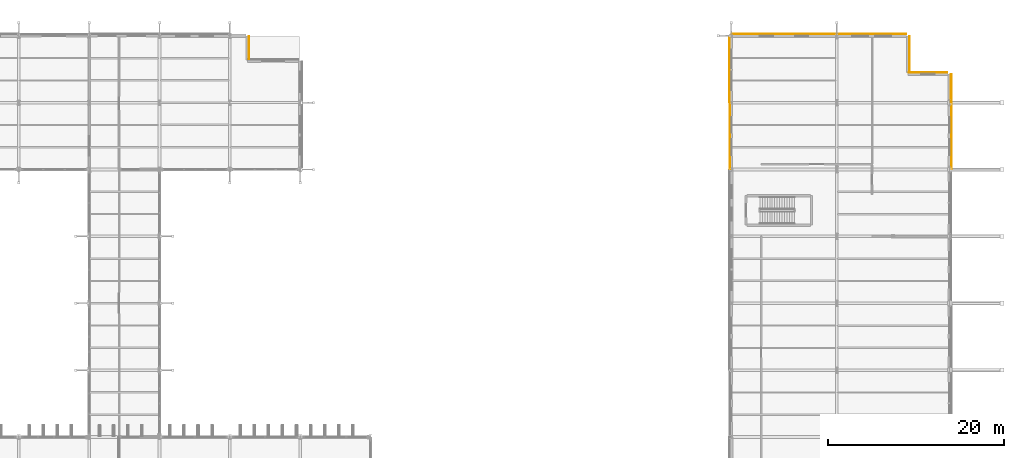
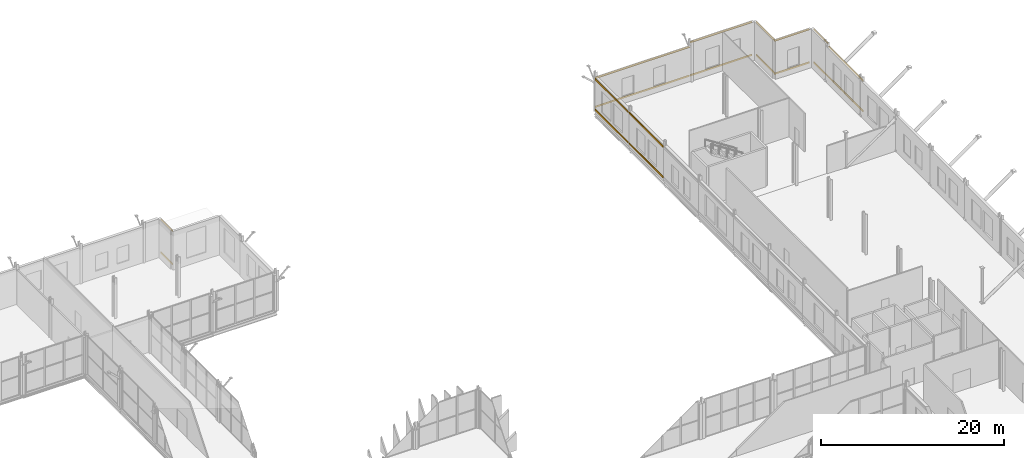
# One storey, part 147 of 147: 18 coverings.
"""IFC4 building model written with IfcOpenShell, lengths in metres."""

import ifcopenshell
import ifcopenshell.guid

model = None  # the IFC model being written
_history = None  # IfcOwnerHistory: only IFC2X3 demands one
_inside = {}  # id of a spatial element -> (the spatial element, [elements in it])
_under = {}  # id of a project, library or spatial element -> (it, [spatial elements below it])
_declared = {}  # id of a project -> (the project, [libraries it declares])
_typed = {}  # id of a type object -> (the type object, [elements of that type])
_made_of = {}  # id of a material, layer set ... -> (it, [elements and type objects made of it])


def new_model(schema):
    """Start an empty IFC model of exactly this schema.

    Asked for "IFC4X3", IfcOpenShell would pick the latest addendum, in which some entities
    have other attributes; the version numbers below select the first issue.
    IFC2X3 requires an IfcOwnerHistory on every rooted entity: one is made here for all.
    """
    global model, _history
    if schema == "IFC4X3":
        model = ifcopenshell.file(schema_version=(4, 3, 0, 0))
    else:
        model = ifcopenshell.file(schema=schema)
    _inside.clear()
    _under.clear()
    _declared.clear()
    _typed.clear()
    _made_of.clear()
    _history = None
    if model.schema == "IFC2X3":
        org = make("IfcOrganization", Name="unknown")
        user = make(
            "IfcPersonAndOrganization",
            ThePerson=make("IfcPerson", FamilyName="unknown"),
            TheOrganization=org,
        )
        app = make(
            "IfcApplication",
            ApplicationDeveloper=org,
            Version="unknown",
            ApplicationFullName="unknown",
            ApplicationIdentifier="unknown",
        )
        _history = make(
            "IfcOwnerHistory",
            OwningUser=user,
            OwningApplication=app,
            ChangeAction="ADDED",
            CreationDate=0,
        )
    return model


def make(cls, **values):
    """One entity of the class cls with the attributes given. An attribute that is None is left unset."""
    return model.create_entity(
        cls, **{name: value for name, value in values.items() if value is not None}
    )


def rooted(cls, **values):
    """An entity with a GlobalId (a new one), such as an element, a storey or a relation."""
    return make(cls, GlobalId=ifcopenshell.guid.new(), OwnerHistory=_history, **values)


def si_unit(unit_type, name, prefix=None):
    """IfcSIUnit, for example si_unit("LENGTHUNIT", "METRE", prefix="MILLI")."""
    return make("IfcSIUnit", UnitType=unit_type, Prefix=prefix, Name=name)


def assignment(units):
    """IfcUnitAssignment: the units of a project."""
    return None if units is None else make("IfcUnitAssignment", Units=units)


def point(xyz):
    """IfcCartesianPoint."""
    return None if xyz is None else make("IfcCartesianPoint", Coordinates=xyz)


def direction(xyz):
    """IfcDirection."""
    return None if xyz is None else make("IfcDirection", DirectionRatios=xyz)


def frame(location, z_axis=None, x_axis=None):
    """IfcAxis2Placement3D, a coordinate frame: its origin and axes. An axis left out is left unset."""
    return make(
        "IfcAxis2Placement3D",
        Location=point(location),
        Axis=direction(z_axis),
        RefDirection=direction(x_axis),
    )


def frame_2d(location, x_axis=None):
    """IfcAxis2Placement2D, a coordinate frame in the plane: its origin and x axis."""
    return make(
        "IfcAxis2Placement2D", Location=point(location), RefDirection=direction(x_axis)
    )


def origin():
    """The frame at (0, 0, 0) with its axes left unset."""
    return frame((0.0, 0.0, 0.0))


def origin_2d():
    """The frame at (0, 0) in the plane with its x axis left unset."""
    return frame_2d((0.0, 0.0))


def place(relative_to, where):
    """IfcLocalPlacement: puts the frame where relative to a parent placement (None: the world)."""
    return make(
        "IfcLocalPlacement", PlacementRelTo=relative_to, RelativePlacement=where
    )


def context(
    kind, dimensions, precision=None, world=None, true_north=None, identifier=None
):
    """IfcGeometricRepresentationContext, for example the 3D "Model" context."""
    return make(
        "IfcGeometricRepresentationContext",
        ContextIdentifier=identifier,
        ContextType=kind,
        CoordinateSpaceDimension=dimensions,
        Precision=precision,
        WorldCoordinateSystem=world,
        TrueNorth=true_north,
    )


def subcontext(parent, identifier, kind, view, scale=None):
    """IfcGeometricRepresentationSubContext, for example "Body" below "Model"."""
    return make(
        "IfcGeometricRepresentationSubContext",
        ContextIdentifier=identifier,
        ContextType=kind,
        ParentContext=parent,
        TargetScale=scale,
        TargetView=view,
    )


def project(units=None, contexts=None):
    """IfcProject with its units and contexts."""
    return rooted(
        "IfcProject",
        Name="project",
        RepresentationContexts=contexts,
        UnitsInContext=assignment(units),
    )


def spatial(cls, under=None, at=None, **own):
    """A site, building, storey or space (cls), placed at a placement, below another one or the project."""
    s = rooted(cls, ObjectPlacement=at, **own)
    if under is not None:
        _under.setdefault(under.id(), (under, []))[1].append(s)
    return s


def profile(cls, at=None, kind="AREA", **sizes):
    """A parametric profile (cls). Its sizes go by their IFC names, for example OverallWidth=200.0."""
    return make(cls, ProfileType=kind, Position=at, **sizes)


def rectangle(**sizes):
    """IfcRectangleProfileDef."""
    return profile("IfcRectangleProfileDef", **sizes)


def extrude(swept, where, along, depth):
    """IfcExtrudedAreaSolid: the profile swept, set in the frame where, extruded along a direction by depth."""
    return make(
        "IfcExtrudedAreaSolid",
        SweptArea=swept,
        Position=where,
        ExtrudedDirection=direction(along),
        Depth=depth,
    )


def shape(context_of_items, identifier, shape_type, items):
    """IfcShapeRepresentation: the items that make up one representation, for example the "Body"."""
    return make(
        "IfcShapeRepresentation",
        ContextOfItems=context_of_items,
        RepresentationIdentifier=identifier,
        RepresentationType=shape_type,
        Items=items,
    )


def material(Name=None, Category=None):
    """IfcMaterial."""
    return make("IfcMaterial", Name=Name, Category=Category)


def layer(
    of_material, thickness, ventilated=None, Name=None, Category=None, Priority=None
):
    """IfcMaterialLayer: one layer of a wall or slab, of a material (None: an air gap)."""
    return make(
        "IfcMaterialLayer",
        Material=of_material,
        LayerThickness=thickness,
        IsVentilated=ventilated,
        Name=Name,
        Category=Category,
        Priority=Priority,
    )


def layer_set(layers, Name=None):
    """IfcMaterialLayerSet."""
    return make("IfcMaterialLayerSet", MaterialLayers=layers, LayerSetName=Name)


def made_of(thing, what):
    """Note that an element or type object is made of a material, layer set ...; save() writes the relation."""
    if what is not None:
        _made_of.setdefault(what.id(), (what, []))[1].append(thing)
    return thing


def type_object(cls, material=None, **own):
    """A type object (cls), such as IfcWallType, which elements share."""
    return made_of(rooted(cls, **own), material)


def element(
    cls,
    number,
    at=None,
    inside=None,
    cuts=None,
    type_object=None,
    material=None,
    context=None,
    identifier="Body",
    shape_type=None,
    held_by="IfcProductDefinitionShape",
    body=None,
    shapes=None,
    **own,
):
    """One element of the class cls, such as IfcWall. Its Tag is "e" and its number.

    at: its placement. inside: the storey or other place that contains it. cuts: it is an
    opening in that element (IfcRelVoidsElement). A single representation is given by context,
    identifier, shape_type and body (its items); several are given by shapes. held_by: the class
    of the entity that holds the representations. save() writes the other relations.
    """
    e = rooted(cls, Tag="e%d" % number, ObjectPlacement=at, **own)
    if body is not None:
        shapes = [shape(context, identifier, shape_type, body)]
    if shapes is not None:
        e.Representation = make(held_by, Representations=shapes)
    if inside is not None:
        _inside.setdefault(inside.id(), (inside, []))[1].append(e)
    if cuts is not None:
        rooted(
            "IfcRelVoidsElement", RelatingBuildingElement=cuts, RelatedOpeningElement=e
        )
    if type_object is not None:
        _typed.setdefault(type_object.id(), (type_object, []))[1].append(e)
    return made_of(e, material)


def aggregate(whole, parts):
    """IfcRelAggregates: a whole, such as a stair, and the parts it consists of."""
    return rooted("IfcRelAggregates", RelatingObject=whole, RelatedObjects=parts)


def save(model, path):
    """Write the relations noted so far, then the file.

    IfcRelAggregates (storeys below a building ...), IfcRelContainedInSpatialStructure (elements
    in a storey), IfcRelDefinesByType, IfcRelAssociatesMaterial and IfcRelDeclares: one each for
    every whole, place, type object, material and project.
    """
    for whole, parts in _under.values():
        aggregate(whole, parts)
    for where, things in _inside.values():
        rooted(
            "IfcRelContainedInSpatialStructure",
            RelatedElements=things,
            RelatingStructure=where,
        )
    for kind, things in _typed.values():
        rooted("IfcRelDefinesByType", RelatedObjects=things, RelatingType=kind)
    for what, things in _made_of.values():
        rooted("IfcRelAssociatesMaterial", RelatedObjects=things, RelatingMaterial=what)
    for by, libraries in _declared.values():
        rooted("IfcRelDeclares", RelatingContext=by, RelatedDefinitions=libraries)
    model.write(path)


model = new_model("IFC4")

# Units and contexts
model_context = context("Model", 3, precision=1e-05, world=origin(), true_north=direction((0.0, 1.0)))
body_context = subcontext(model_context, "Body", "Model", "MODEL_VIEW")
ifc_project = project(units=[si_unit("LENGTHUNIT", "METRE"), si_unit("AREAUNIT", "SQUARE_METRE"), si_unit("VOLUMEUNIT", "CUBIC_METRE"), si_unit("PLANEANGLEUNIT", "RADIAN"), si_unit("MASSUNIT", "GRAM", prefix="KILO")], contexts=[model_context])

# Site, building, storey
site_placement = place(None, origin())
site = spatial("IfcSite", under=ifc_project, at=site_placement, CompositionType="ELEMENT")
building_placement = place(site_placement, origin())
building = spatial("IfcBuilding", under=site, at=building_placement, Name="Vekula Escarpment Museum", CompositionType="ELEMENT")
storey_placement = place(building_placement, frame((0.0, 0.0, 7.800048828125)))
storey = spatial("IfcBuildingStorey", under=building, at=storey_placement, Name="L02", CompositionType="ELEMENT", Elevation=7.800048828125)

# Coverings
ifc_material = material(Name="Polychrome limestone almasik string-course band", Category="masonry")
ifc_layer = layer(ifc_material, 0.06005859375)
ifc_layer_set = layer_set([ifc_layer], Name="Polychrome limestone almasik string-course band")
covering_type = type_object("IfcCoveringType", Name="COV-ALM-BAND", PredefinedType="CLADDING", material=ifc_layer_set)
for number, where, z_axis, x_axis, name in (
    (1, (192.01611328125, 124.60009765625, 0.41015625), (0.0, 0.0, 1.0), (0.0, 1.0, 0.0), "Almasik Stone String Course L02-0322"),
    (2, (192.01611328125, 124.60009765625, 4.48486328125), (0.0, 0.0, 1.0), (0.0, 1.0, 0.0), "Almasik Stone String Course L02-0323"),
):
    element("IfcCovering", number, at=place(storey_placement, frame(where, z_axis=z_axis, x_axis=x_axis)), inside=storey, type_object=covering_type, Name=name, PredefinedType="CLADDING", context=body_context, shape_type="SweptSolid", body=[
        extrude(rectangle(XDim=7.47998046875, YDim=0.06005859375, at=origin_2d()), origin(), (0.0, 0.0, 1.0), 0.219970703125),
    ])
for number, where, z_axis, x_axis, name in (
    (3, (192.0009765625, 130.033935546875, 0.41015625), (0.0, 0.0, 1.0), (0.0, 1.0, 0.0), "Almasik Stone String Course L02-0324"),
    (4, (192.0009765625, 130.033935546875, 4.81982421875), (0.0, 0.0, 1.0), (0.0, 1.0, 0.0), "Almasik Stone String Course L02-0325"),
):
    element("IfcCovering", number, at=place(storey_placement, frame(where, z_axis=z_axis, x_axis=x_axis)), inside=storey, type_object=covering_type, Name=name, PredefinedType="CLADDING", context=body_context, shape_type="SweptSolid", body=[
        extrude(rectangle(XDim=3.14794921875, YDim=0.06005859375, at=origin_2d()), origin(), (0.0, 0.0, 1.0), 0.219970703125),
    ])
for number, where, z_axis, x_axis, name in (
    (5, (189.3544921875, 131.85400390625, 0.41015625), (0.0, 0.0, 1.0), (1.0, 0.0, 0.0), "Almasik Stone String Course L02-0326"),
    (6, (189.3544921875, 131.85400390625, 4.81982421875), (0.0, 0.0, 1.0), (1.0, 0.0, 0.0), "Almasik Stone String Course L02-0327"),
):
    element("IfcCovering", number, at=place(storey_placement, frame(where, z_axis=z_axis, x_axis=x_axis)), inside=storey, type_object=covering_type, Name=name, PredefinedType="CLADDING", context=body_context, shape_type="SweptSolid", body=[
        extrude(rectangle(XDim=4.4130859375, YDim=0.06005859375, at=origin_2d()), origin(), (0.0, 0.0, 1.0), 0.219970703125),
    ])
for number, where, z_axis, x_axis, name in (
    (7, (187.263916015625, 133.916015625, 0.41015625), (0.0, 0.0, 1.0), (0.0, 1.0, 0.0), "Almasik Stone String Course L02-0328"),
    (8, (187.263916015625, 133.916015625, 4.81982421875), (0.0, 0.0, 1.0), (0.0, 1.0, 0.0), "Almasik Stone String Course L02-0329"),
):
    element("IfcCovering", number, at=place(storey_placement, frame(where, z_axis=z_axis, x_axis=x_axis)), inside=storey, type_object=covering_type, Name=name, PredefinedType="CLADDING", context=body_context, shape_type="SweptSolid", body=[
        extrude(rectangle(XDim=4.048095703125, YDim=0.06005859375, at=origin_2d()), origin(), (0.0, 0.0, 1.0), 0.219970703125),
    ])
for number, where, z_axis, x_axis, name in (
    (9, (182.967041015625, 136.216064453125, 0.41015625), (0.0, 0.0, 1.0), (1.0, 0.0, 0.0), "Almasik Stone String Course L02-0330"),
    (10, (182.967041015625, 136.216064453125, 4.81982421875), (0.0, 0.0, 1.0), (1.0, 0.0, 0.0), "Almasik Stone String Course L02-0331"),
):
    element("IfcCovering", number, at=place(storey_placement, frame(where, z_axis=z_axis, x_axis=x_axis)), inside=storey, type_object=covering_type, Name=name, PredefinedType="CLADDING", context=body_context, shape_type="SweptSolid", body=[
        extrude(rectangle(XDim=7.81396484375, YDim=0.06005859375, at=origin_2d()), origin(), (0.0, 0.0, 1.0), 0.219970703125),
    ])
for number, where, z_axis, x_axis, name in (
    (11, (173.0, 136.200927734375, 0.41015625), (0.0, 0.0, 1.0), (1.0, 0.0, 0.0), "Almasik Stone String Course L02-0332"),
    (12, (173.0, 136.200927734375, 4.2548828125), (0.0, 0.0, 1.0), (1.0, 0.0, 0.0), "Almasik Stone String Course L02-0333"),
):
    element("IfcCovering", number, at=place(storey_placement, frame(where, z_axis=z_axis, x_axis=x_axis)), inside=storey, type_object=covering_type, Name=name, PredefinedType="CLADDING", context=body_context, shape_type="SweptSolid", body=[
        extrude(rectangle(XDim=11.8798828125, YDim=0.06005859375, at=origin_2d()), origin(), (0.0, 0.0, 1.0), 0.219970703125),
    ])
for number, where, z_axis, x_axis, name in (
    (13, (166.81396484375, 132.110595703125, 0.41015625), (0.0, 0.0, 1.0), (0.0, 1.0, 0.0), "Almasik Stone String Course L02-0334"),
    (14, (166.81396484375, 132.110595703125, 4.48486328125), (0.0, 0.0, 1.0), (0.0, 1.0, 0.0), "Almasik Stone String Course L02-0335"),
):
    element("IfcCovering", number, at=place(storey_placement, frame(where, z_axis=z_axis, x_axis=x_axis)), inside=storey, type_object=covering_type, Name=name, PredefinedType="CLADDING", context=body_context, shape_type="SweptSolid", body=[
        extrude(rectangle(XDim=7.301025390625, YDim=0.06005859375, at=origin_2d()), origin(), (0.0, 0.0, 1.0), 0.219970703125),
    ])
for number, where, z_axis, x_axis, name in (
    (15, (166.823974609375, 124.60009765625, 0.41015625), (0.0, 0.0, 1.0), (0.0, 1.0, 0.0), "Almasik Stone String Course L02-0336"),
    (16, (166.823974609375, 124.60009765625, 4.48486328125), (0.0, 0.0, 1.0), (0.0, 1.0, 0.0), "Almasik Stone String Course L02-0337"),
):
    element("IfcCovering", number, at=place(storey_placement, frame(where, z_axis=z_axis, x_axis=x_axis)), inside=storey, type_object=covering_type, Name=name, PredefinedType="CLADDING", context=body_context, shape_type="SweptSolid", body=[
        extrude(rectangle(XDim=7.47998046875, YDim=0.06005859375, at=origin_2d()), origin(), (0.0, 0.0, 1.0), 0.219970703125),
    ])
for number, where, z_axis, x_axis, name in (
    (17, (112.176025390625, 134.637939453125, 0.41015625), (0.0, 0.0, 1.0), (0.0, 1.0, 0.0), "Almasik Stone String Course L02-0356"),
    (18, (112.176025390625, 134.637939453125, 4.81982421875), (0.0, 0.0, 1.0), (0.0, 1.0, 0.0), "Almasik Stone String Course L02-0357"),
):
    element("IfcCovering", number, at=place(storey_placement, frame(where, z_axis=z_axis, x_axis=x_axis)), inside=storey, type_object=covering_type, Name=name, PredefinedType="CLADDING", context=body_context, shape_type="SweptSolid", body=[
        extrude(rectangle(XDim=2.60400390625, YDim=0.06005859375, at=origin_2d()), origin(), (0.0, 0.0, 1.0), 0.219970703125),
    ])

save(model, "model.ifc")
